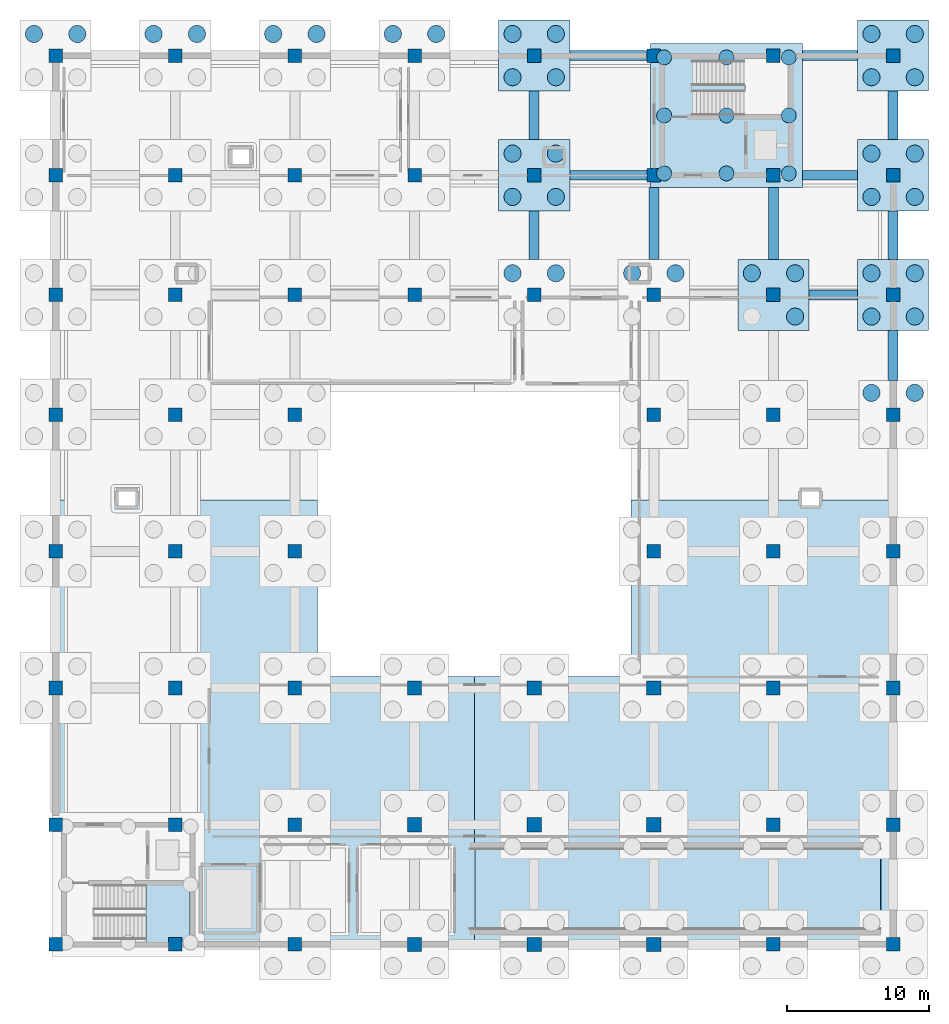
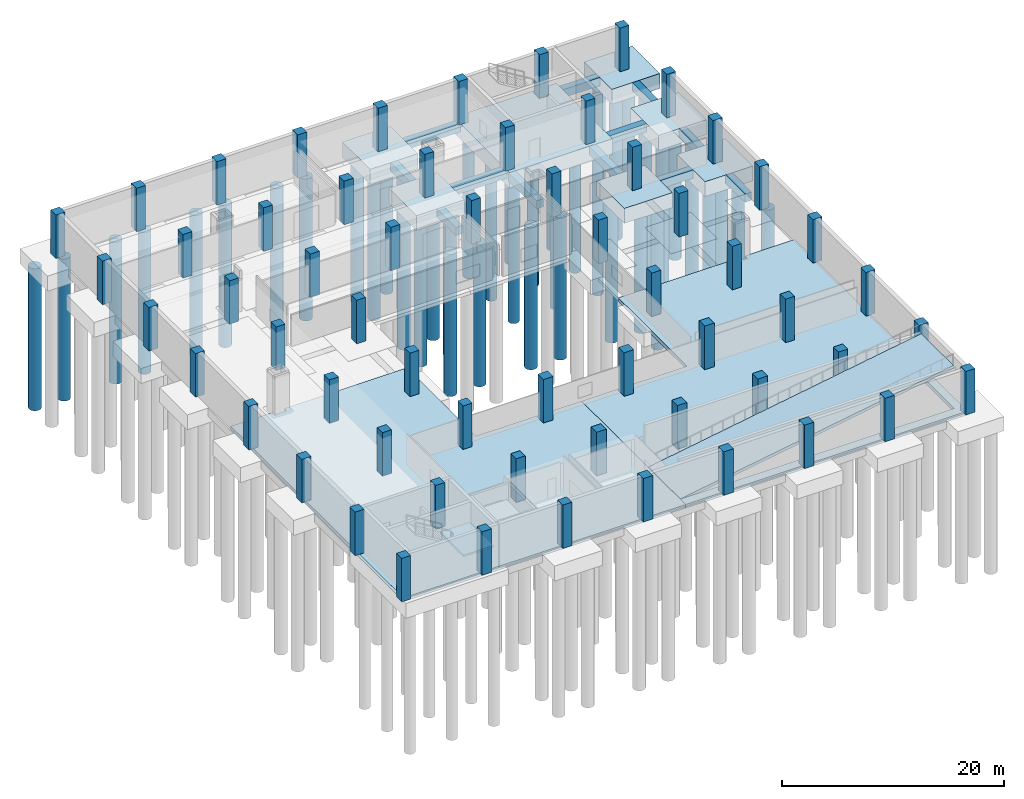
# One storey, part 4 of 12: 60 columns, 46 piles, 19 footings, 4 slabs, 1 element without a shape of its own.
"""IFC4 building model written with IfcOpenShell, lengths in metres."""

import ifcopenshell
import ifcopenshell.guid

model = None  # the IFC model being written
_history = None  # IfcOwnerHistory: only IFC2X3 demands one
_inside = {}  # id of a spatial element -> (the spatial element, [elements in it])
_under = {}  # id of a project, library or spatial element -> (it, [spatial elements below it])
_declared = {}  # id of a project -> (the project, [libraries it declares])
_typed = {}  # id of a type object -> (the type object, [elements of that type])
_made_of = {}  # id of a material, layer set ... -> (it, [elements and type objects made of it])


def new_model(schema):
    """Start an empty IFC model of exactly this schema.

    Asked for "IFC4X3", IfcOpenShell would pick the latest addendum, in which some entities
    have other attributes; the version numbers below select the first issue.
    IFC2X3 requires an IfcOwnerHistory on every rooted entity: one is made here for all.
    """
    global model, _history
    if schema == "IFC4X3":
        model = ifcopenshell.file(schema_version=(4, 3, 0, 0))
    else:
        model = ifcopenshell.file(schema=schema)
    _inside.clear()
    _under.clear()
    _declared.clear()
    _typed.clear()
    _made_of.clear()
    _history = None
    if model.schema == "IFC2X3":
        org = make("IfcOrganization", Name="unknown")
        user = make(
            "IfcPersonAndOrganization",
            ThePerson=make("IfcPerson", FamilyName="unknown"),
            TheOrganization=org,
        )
        app = make(
            "IfcApplication",
            ApplicationDeveloper=org,
            Version="unknown",
            ApplicationFullName="unknown",
            ApplicationIdentifier="unknown",
        )
        _history = make(
            "IfcOwnerHistory",
            OwningUser=user,
            OwningApplication=app,
            ChangeAction="ADDED",
            CreationDate=0,
        )
    return model


def make(cls, **values):
    """One entity of the class cls with the attributes given. An attribute that is None is left unset."""
    return model.create_entity(
        cls, **{name: value for name, value in values.items() if value is not None}
    )


def rooted(cls, **values):
    """An entity with a GlobalId (a new one), such as an element, a storey or a relation."""
    return make(cls, GlobalId=ifcopenshell.guid.new(), OwnerHistory=_history, **values)


def si_unit(unit_type, name, prefix=None):
    """IfcSIUnit, for example si_unit("LENGTHUNIT", "METRE", prefix="MILLI")."""
    return make("IfcSIUnit", UnitType=unit_type, Prefix=prefix, Name=name)


def assignment(units):
    """IfcUnitAssignment: the units of a project."""
    return None if units is None else make("IfcUnitAssignment", Units=units)


def point(xyz):
    """IfcCartesianPoint."""
    return None if xyz is None else make("IfcCartesianPoint", Coordinates=xyz)


def direction(xyz):
    """IfcDirection."""
    return None if xyz is None else make("IfcDirection", DirectionRatios=xyz)


def frame(location, z_axis=None, x_axis=None):
    """IfcAxis2Placement3D, a coordinate frame: its origin and axes. An axis left out is left unset."""
    return make(
        "IfcAxis2Placement3D",
        Location=point(location),
        Axis=direction(z_axis),
        RefDirection=direction(x_axis),
    )


def frame_2d(location, x_axis=None):
    """IfcAxis2Placement2D, a coordinate frame in the plane: its origin and x axis."""
    return make(
        "IfcAxis2Placement2D", Location=point(location), RefDirection=direction(x_axis)
    )


def origin():
    """The frame at (0, 0, 0) with its axes left unset."""
    return frame((0.0, 0.0, 0.0))


def origin_2d():
    """The frame at (0, 0) in the plane with its x axis left unset."""
    return frame_2d((0.0, 0.0))


def place(relative_to, where):
    """IfcLocalPlacement: puts the frame where relative to a parent placement (None: the world)."""
    return make(
        "IfcLocalPlacement", PlacementRelTo=relative_to, RelativePlacement=where
    )


def context(
    kind, dimensions, precision=None, world=None, true_north=None, identifier=None
):
    """IfcGeometricRepresentationContext, for example the 3D "Model" context."""
    return make(
        "IfcGeometricRepresentationContext",
        ContextIdentifier=identifier,
        ContextType=kind,
        CoordinateSpaceDimension=dimensions,
        Precision=precision,
        WorldCoordinateSystem=world,
        TrueNorth=true_north,
    )


def subcontext(parent, identifier, kind, view, scale=None):
    """IfcGeometricRepresentationSubContext, for example "Body" below "Model"."""
    return make(
        "IfcGeometricRepresentationSubContext",
        ContextIdentifier=identifier,
        ContextType=kind,
        ParentContext=parent,
        TargetScale=scale,
        TargetView=view,
    )


def project(units=None, contexts=None):
    """IfcProject with its units and contexts."""
    return rooted(
        "IfcProject",
        Name="project",
        RepresentationContexts=contexts,
        UnitsInContext=assignment(units),
    )


def spatial(cls, under=None, at=None, **own):
    """A site, building, storey or space (cls), placed at a placement, below another one or the project."""
    s = rooted(cls, ObjectPlacement=at, **own)
    if under is not None:
        _under.setdefault(under.id(), (under, []))[1].append(s)
    return s


def polyline(points):
    """IfcPolyline through the points."""
    return make("IfcPolyline", Points=[point(p) for p in points])


def profile(cls, at=None, kind="AREA", **sizes):
    """A parametric profile (cls). Its sizes go by their IFC names, for example OverallWidth=200.0."""
    return make(cls, ProfileType=kind, Position=at, **sizes)


def rectangle(**sizes):
    """IfcRectangleProfileDef."""
    return profile("IfcRectangleProfileDef", **sizes)


def circle(**sizes):
    """IfcCircleProfileDef."""
    return profile("IfcCircleProfileDef", **sizes)


def outline(outer, holes=None, kind="AREA"):
    """IfcArbitraryClosedProfileDef: a profile drawn as a closed curve; with holes, ...WithVoids."""
    if holes is None:
        return make("IfcArbitraryClosedProfileDef", ProfileType=kind, OuterCurve=outer)
    return make(
        "IfcArbitraryProfileDefWithVoids",
        ProfileType=kind,
        OuterCurve=outer,
        InnerCurves=holes,
    )


def extrude(swept, where, along, depth):
    """IfcExtrudedAreaSolid: the profile swept, set in the frame where, extruded along a direction by depth."""
    return make(
        "IfcExtrudedAreaSolid",
        SweptArea=swept,
        Position=where,
        ExtrudedDirection=direction(along),
        Depth=depth,
    )


def shape(context_of_items, identifier, shape_type, items):
    """IfcShapeRepresentation: the items that make up one representation, for example the "Body"."""
    return make(
        "IfcShapeRepresentation",
        ContextOfItems=context_of_items,
        RepresentationIdentifier=identifier,
        RepresentationType=shape_type,
        Items=items,
    )


def material(Name=None, Category=None):
    """IfcMaterial."""
    return make("IfcMaterial", Name=Name, Category=Category)


def layer(
    of_material, thickness, ventilated=None, Name=None, Category=None, Priority=None
):
    """IfcMaterialLayer: one layer of a wall or slab, of a material (None: an air gap)."""
    return make(
        "IfcMaterialLayer",
        Material=of_material,
        LayerThickness=thickness,
        IsVentilated=ventilated,
        Name=Name,
        Category=Category,
        Priority=Priority,
    )


def layer_set(layers, Name=None):
    """IfcMaterialLayerSet."""
    return make("IfcMaterialLayerSet", MaterialLayers=layers, LayerSetName=Name)


def material_profile(
    of_material, cross_section, Name=None, Category=None, Priority=None
):
    """IfcMaterialProfile: a cross section and its material."""
    return make(
        "IfcMaterialProfile",
        Name=Name,
        Material=of_material,
        Profile=cross_section,
        Priority=Priority,
        Category=Category,
    )


def profile_set(profiles, Name=None, composite=None):
    """IfcMaterialProfileSet."""
    return make(
        "IfcMaterialProfileSet",
        Name=Name,
        MaterialProfiles=profiles,
        CompositeProfile=composite,
    )


def made_of(thing, what):
    """Note that an element or type object is made of a material, layer set ...; save() writes the relation."""
    if what is not None:
        _made_of.setdefault(what.id(), (what, []))[1].append(thing)
    return thing


def type_object(cls, material=None, **own):
    """A type object (cls), such as IfcWallType, which elements share."""
    return made_of(rooted(cls, **own), material)


def element(
    cls,
    number,
    at=None,
    inside=None,
    cuts=None,
    type_object=None,
    material=None,
    context=None,
    identifier="Body",
    shape_type=None,
    held_by="IfcProductDefinitionShape",
    body=None,
    shapes=None,
    **own,
):
    """One element of the class cls, such as IfcWall. Its Tag is "e" and its number.

    at: its placement. inside: the storey or other place that contains it. cuts: it is an
    opening in that element (IfcRelVoidsElement). A single representation is given by context,
    identifier, shape_type and body (its items); several are given by shapes. held_by: the class
    of the entity that holds the representations. save() writes the other relations.
    """
    e = rooted(cls, Tag="e%d" % number, ObjectPlacement=at, **own)
    if body is not None:
        shapes = [shape(context, identifier, shape_type, body)]
    if shapes is not None:
        e.Representation = make(held_by, Representations=shapes)
    if inside is not None:
        _inside.setdefault(inside.id(), (inside, []))[1].append(e)
    if cuts is not None:
        rooted(
            "IfcRelVoidsElement", RelatingBuildingElement=cuts, RelatedOpeningElement=e
        )
    if type_object is not None:
        _typed.setdefault(type_object.id(), (type_object, []))[1].append(e)
    return made_of(e, material)


def aggregate(whole, parts):
    """IfcRelAggregates: a whole, such as a stair, and the parts it consists of."""
    return rooted("IfcRelAggregates", RelatingObject=whole, RelatedObjects=parts)


def save(model, path):
    """Write the relations noted so far, then the file.

    IfcRelAggregates (storeys below a building ...), IfcRelContainedInSpatialStructure (elements
    in a storey), IfcRelDefinesByType, IfcRelAssociatesMaterial and IfcRelDeclares: one each for
    every whole, place, type object, material and project.
    """
    for whole, parts in _under.values():
        aggregate(whole, parts)
    for where, things in _inside.values():
        rooted(
            "IfcRelContainedInSpatialStructure",
            RelatedElements=things,
            RelatingStructure=where,
        )
    for kind, things in _typed.values():
        rooted("IfcRelDefinesByType", RelatedObjects=things, RelatingType=kind)
    for what, things in _made_of.values():
        rooted("IfcRelAssociatesMaterial", RelatedObjects=things, RelatingMaterial=what)
    for by, libraries in _declared.values():
        rooted("IfcRelDeclares", RelatingContext=by, RelatedDefinitions=libraries)
    model.write(path)


model = new_model("IFC4")

# Units and contexts
model_context = context("Model", 3, precision=1e-05, world=origin(), true_north=direction((0.0, 1.0)))
body_context = subcontext(model_context, "Body", "Model", "MODEL_VIEW")
ifc_project = project(units=[si_unit("LENGTHUNIT", "METRE"), si_unit("AREAUNIT", "SQUARE_METRE"), si_unit("VOLUMEUNIT", "CUBIC_METRE"), si_unit("PLANEANGLEUNIT", "RADIAN"), si_unit("MASSUNIT", "GRAM", prefix="KILO")], contexts=[model_context])

# Site, building, storey
site_placement = place(None, origin())
site = spatial("IfcSite", under=ifc_project, at=site_placement, CompositionType="ELEMENT")
building_placement = place(site_placement, origin())
building = spatial("IfcBuilding", under=site, at=building_placement, Name="Zulmaris Art Gallery", CompositionType="ELEMENT")
storey_placement = place(building_placement, frame((0.0, 0.0, -4.800048828125)))
storey = spatial("IfcBuildingStorey", under=building, at=storey_placement, Name="B1", CompositionType="ELEMENT", Elevation=-4.800048828125)

# Footings
ifc_material_1 = material(Name="Concrete C40/50", Category="concrete")
ifc_layer_1 = layer(ifc_material_1, 0.89990234375)
ifc_layer_set_1 = layer_set([ifc_layer_1], Name="Concrete C40/50")
footing_type_1 = type_object("IfcFootingType", Name="FTG-GB02", PredefinedType="FOOTING_BEAM", material=ifc_layer_set_1)
footing_1_placement = place(storey_placement, frame((0.0, 0.0, -0.89990234375)))
element("IfcFooting", 1, at=footing_1_placement, inside=storey, type_object=footing_type_1, Name="B1 ground tie beam X", PredefinedType="FOOTING_BEAM", context=body_context, shape_type="SweptSolid", body=[
    extrude(outline(polyline([(194.5, 58.449951171875), (197.89990234375, 58.449951171875), (197.89990234375, 59.14990234375), (194.5, 59.14990234375), (194.5, 58.449951171875)])), origin(), (0.0, 0.0, 1.0), 0.89990234375),
])
footing_2_placement = place(storey_placement, frame((0.0, 0.0, -0.89990234375)))
element("IfcFooting", 2, at=footing_2_placement, inside=storey, type_object=footing_type_1, Name="B1 ground tie beam X", PredefinedType="FOOTING_BEAM", context=body_context, shape_type="SweptSolid", body=[
    extrude(outline(polyline([(177.699951171875, 66.85009765625), (183.35009765625, 66.85009765625), (183.35009765625, 67.550048828125), (177.699951171875, 67.550048828125), (177.699951171875, 66.85009765625)])), origin(), (0.0, 0.0, 1.0), 0.89990234375),
])
footing_3_placement = place(storey_placement, frame((0.0, 0.0, -0.89990234375)))
element("IfcFooting", 3, at=footing_3_placement, inside=storey, type_object=footing_type_1, Name="B1 ground tie beam X", PredefinedType="FOOTING_BEAM", context=body_context, shape_type="SweptSolid", body=[
    extrude(outline(polyline([(194.050048828125, 66.85009765625), (197.89990234375, 66.85009765625), (197.89990234375, 67.550048828125), (194.050048828125, 67.550048828125), (194.050048828125, 66.85009765625)])), origin(), (0.0, 0.0, 1.0), 0.89990234375),
])
footing_4_placement = place(storey_placement, frame((0.0, 0.0, -0.89990234375)))
element("IfcFooting", 4, at=footing_4_placement, inside=storey, type_object=footing_type_1, Name="B1 ground tie beam X", PredefinedType="FOOTING_BEAM", context=body_context, shape_type="SweptSolid", body=[
    extrude(outline(polyline([(177.699951171875, 75.25), (183.35009765625, 75.25), (183.35009765625, 75.949951171875), (177.699951171875, 75.949951171875), (177.699951171875, 75.25)])), origin(), (0.0, 0.0, 1.0), 0.89990234375),
])
footing_5_placement = place(storey_placement, frame((0.0, 0.0, -0.89990234375)))
element("IfcFooting", 5, at=footing_5_placement, inside=storey, type_object=footing_type_1, Name="B1 ground tie beam X", PredefinedType="FOOTING_BEAM", context=body_context, shape_type="SweptSolid", body=[
    extrude(outline(polyline([(194.050048828125, 75.25), (197.89990234375, 75.25), (197.89990234375, 75.949951171875), (194.050048828125, 75.949951171875), (194.050048828125, 75.25)])), origin(), (0.0, 0.0, 1.0), 0.89990234375),
])
footing_6_placement = place(storey_placement, frame((0.0, 0.0, -0.89990234375)))
element("IfcFooting", 6, at=footing_6_placement, inside=storey, type_object=footing_type_1, Name="B1 ground tie beam Y", PredefinedType="FOOTING_BEAM", context=body_context, shape_type="SweptSolid", body=[
    extrude(outline(polyline([(174.85009765625, 61.300048828125), (175.550048828125, 61.300048828125), (175.550048828125, 64.699951171875), (174.85009765625, 64.699951171875), (174.85009765625, 61.300048828125)])), origin(), (0.0, 0.0, 1.0), 0.89990234375),
])
footing_7_placement = place(storey_placement, frame((0.0, 0.0, -0.89990234375)))
element("IfcFooting", 7, at=footing_7_placement, inside=storey, type_object=footing_type_1, Name="B1 ground tie beam Y", PredefinedType="FOOTING_BEAM", context=body_context, shape_type="SweptSolid", body=[
    extrude(outline(polyline([(174.85009765625, 69.699951171875), (175.550048828125, 69.699951171875), (175.550048828125, 73.10009765625), (174.85009765625, 73.10009765625), (174.85009765625, 69.699951171875)])), origin(), (0.0, 0.0, 1.0), 0.89990234375),
])
footing_8_placement = place(storey_placement, frame((0.0, 0.0, -0.89990234375)))
element("IfcFooting", 8, at=footing_8_placement, inside=storey, type_object=footing_type_1, Name="B1 ground tie beam Y", PredefinedType="FOOTING_BEAM", context=body_context, shape_type="SweptSolid", body=[
    extrude(outline(polyline([(183.25, 61.300048828125), (183.949951171875, 61.300048828125), (183.949951171875, 66.35009765625), (183.25, 66.35009765625), (183.25, 61.300048828125)])), origin(), (0.0, 0.0, 1.0), 0.89990234375),
])
footing_9_placement = place(storey_placement, frame((0.0, 0.0, -0.89990234375)))
element("IfcFooting", 9, at=footing_9_placement, inside=storey, type_object=footing_type_1, Name="B1 ground tie beam Y", PredefinedType="FOOTING_BEAM", context=body_context, shape_type="SweptSolid", body=[
    extrude(outline(polyline([(191.64990234375, 61.300048828125), (192.35009765625, 61.300048828125), (192.35009765625, 66.35009765625), (191.64990234375, 66.35009765625), (191.64990234375, 61.300048828125)])), origin(), (0.0, 0.0, 1.0), 0.89990234375),
])
footing_10_placement = place(storey_placement, frame((0.0, 0.0, -0.89990234375)))
element("IfcFooting", 10, at=footing_10_placement, inside=storey, type_object=footing_type_1, Name="B1 ground tie beam Y", PredefinedType="FOOTING_BEAM", context=body_context, shape_type="SweptSolid", body=[
    extrude(outline(polyline([(200.050048828125, 52.800048828125), (200.75, 52.800048828125), (200.75, 56.300048828125), (200.050048828125, 56.300048828125), (200.050048828125, 52.800048828125)])), origin(), (0.0, 0.0, 1.0), 0.89990234375),
])
footing_11_placement = place(storey_placement, frame((0.0, 0.0, -0.89990234375)))
element("IfcFooting", 11, at=footing_11_placement, inside=storey, type_object=footing_type_1, Name="B1 ground tie beam Y", PredefinedType="FOOTING_BEAM", context=body_context, shape_type="SweptSolid", body=[
    extrude(outline(polyline([(200.050048828125, 61.300048828125), (200.75, 61.300048828125), (200.75, 64.699951171875), (200.050048828125, 64.699951171875), (200.050048828125, 61.300048828125)])), origin(), (0.0, 0.0, 1.0), 0.89990234375),
])
footing_12_placement = place(storey_placement, frame((0.0, 0.0, -0.89990234375)))
element("IfcFooting", 12, at=footing_12_placement, inside=storey, type_object=footing_type_1, Name="B1 ground tie beam Y", PredefinedType="FOOTING_BEAM", context=body_context, shape_type="SweptSolid", body=[
    extrude(outline(polyline([(200.050048828125, 69.699951171875), (200.75, 69.699951171875), (200.75, 73.10009765625), (200.050048828125, 73.10009765625), (200.050048828125, 69.699951171875)])), origin(), (0.0, 0.0, 1.0), 0.89990234375),
])
ifc_layer_2 = layer(ifc_material_1, 1.7099609375)
ifc_layer_set_2 = layer_set([ifc_layer_2], Name="Concrete C40/50")
footing_type_2 = type_object("IfcFootingType", Name="FTG-MAT-C4", PredefinedType="PILE_CAP", material=ifc_layer_set_2)
footing_13_placement = place(storey_placement, frame((0.0, 0.0, -1.7099609375)))
element("IfcFooting", 13, at=footing_13_placement, inside=storey, type_object=footing_type_2, Name="Core C4 pile cap", PredefinedType="PILE_CAP", context=body_context, shape_type="SweptSolid", body=[
    extrude(outline(polyline([(183.35009765625, 66.35009765625), (194.050048828125, 66.35009765625), (194.050048828125, 76.449951171875), (183.35009765625, 76.449951171875), (183.35009765625, 66.35009765625)])), origin(), (0.0, 0.0, 1.0), 1.7099609375),
])
ifc_layer_3 = layer(ifc_material_1, 1.64990234375)
ifc_layer_set_3 = layer_set([ifc_layer_3], Name="Concrete C40/50")
footing_type_3 = type_object("IfcFootingType", Name="FTG-PC04", PredefinedType="PILE_CAP", material=ifc_layer_set_3)
footing_14_placement = place(storey_placement, frame((0.0, 0.0, -1.64990234375)))
element("IfcFooting", 14, at=footing_14_placement, inside=storey, type_object=footing_type_3, Name="B1 pile cap PC04 at (175.2, 67.2)", PredefinedType="PILE_CAP", context=body_context, shape_type="SweptSolid", body=[
    extrude(outline(polyline([(172.699951171875, 64.699951171875), (177.699951171875, 64.699951171875), (177.699951171875, 69.699951171875), (172.699951171875, 69.699951171875), (172.699951171875, 64.699951171875)])), origin(), (0.0, 0.0, 1.0), 1.64990234375),
])
footing_15_placement = place(storey_placement, frame((0.0, 0.0, -1.64990234375)))
element("IfcFooting", 15, at=footing_15_placement, inside=storey, type_object=footing_type_3, Name="B1 pile cap PC04 at (175.2, 75.6)", PredefinedType="PILE_CAP", context=body_context, shape_type="SweptSolid", body=[
    extrude(outline(polyline([(172.699951171875, 73.10009765625), (177.699951171875, 73.10009765625), (177.699951171875, 78.10009765625), (172.699951171875, 78.10009765625), (172.699951171875, 73.10009765625)])), origin(), (0.0, 0.0, 1.0), 1.64990234375),
])
footing_16_placement = place(storey_placement, frame((0.0, 0.0, -1.64990234375)))
element("IfcFooting", 16, at=footing_16_placement, inside=storey, type_object=footing_type_3, Name="B1 pile cap PC04 at (192.0, 58.8)", PredefinedType="PILE_CAP", context=body_context, shape_type="SweptSolid", body=[
    extrude(outline(polyline([(189.5, 56.300048828125), (194.5, 56.300048828125), (194.5, 61.300048828125), (189.5, 61.300048828125), (189.5, 56.300048828125)])), origin(), (0.0, 0.0, 1.0), 1.64990234375),
])
footing_17_placement = place(storey_placement, frame((0.0, 0.0, -1.64990234375)))
element("IfcFooting", 17, at=footing_17_placement, inside=storey, type_object=footing_type_3, Name="B1 pile cap PC04 at (200.4, 58.8)", PredefinedType="PILE_CAP", context=body_context, shape_type="SweptSolid", body=[
    extrude(outline(polyline([(197.89990234375, 56.300048828125), (202.89990234375, 56.300048828125), (202.89990234375, 61.300048828125), (197.89990234375, 61.300048828125), (197.89990234375, 56.300048828125)])), origin(), (0.0, 0.0, 1.0), 1.64990234375),
])
footing_18_placement = place(storey_placement, frame((0.0, 0.0, -1.64990234375)))
element("IfcFooting", 18, at=footing_18_placement, inside=storey, type_object=footing_type_3, Name="B1 pile cap PC04 at (200.4, 67.2)", PredefinedType="PILE_CAP", context=body_context, shape_type="SweptSolid", body=[
    extrude(outline(polyline([(197.89990234375, 64.699951171875), (202.89990234375, 64.699951171875), (202.89990234375, 69.699951171875), (197.89990234375, 69.699951171875), (197.89990234375, 64.699951171875)])), origin(), (0.0, 0.0, 1.0), 1.64990234375),
])
footing_19_placement = place(storey_placement, frame((0.0, 0.0, -1.64990234375)))
element("IfcFooting", 19, at=footing_19_placement, inside=storey, type_object=footing_type_3, Name="B1 pile cap PC04 at (200.4, 75.6)", PredefinedType="PILE_CAP", context=body_context, shape_type="SweptSolid", body=[
    extrude(outline(polyline([(197.89990234375, 73.10009765625), (202.89990234375, 73.10009765625), (202.89990234375, 78.10009765625), (197.89990234375, 78.10009765625), (197.89990234375, 73.10009765625)])), origin(), (0.0, 0.0, 1.0), 1.64990234375),
])

# Piles
ifc_material_profile_1 = material_profile(ifc_material_1, circle(Radius=0.52490234375, at=origin_2d()), Name="PILE DIA 1050")
ifc_profile_set_1 = profile_set([ifc_material_profile_1], Name="Concrete C40/50")
pile_type_1 = type_object("IfcPileType", Name="PILE-1050", PredefinedType="BORED", material=ifc_profile_set_1)
for number, where, z_axis, x_axis, name in (
    (20, (184.324951171875, 67.324951171875, -1.60986328125), (0.0, 0.0, -1.0), (1.0, 0.0, 0.0), "Core C4 bored pile 1"),
    (21, (184.324951171875, 71.39990234375, -1.60986328125), (0.0, 0.0, -1.0), (1.0, 0.0, 0.0), "Core C4 bored pile 2"),
    (22, (184.324951171875, 75.47509765625, -1.60986328125), (0.0, 0.0, -1.0), (1.0, 0.0, 0.0), "Core C4 bored pile 3"),
    (23, (188.699951171875, 67.324951171875, -1.60986328125), (0.0, 0.0, -1.0), (1.0, 0.0, 0.0), "Core C4 bored pile 4"),
    (24, (188.699951171875, 71.39990234375, -1.60986328125), (0.0, 0.0, -1.0), (1.0, 0.0, 0.0), "Core C4 bored pile 5"),
    (25, (188.699951171875, 75.47509765625, -1.60986328125), (0.0, 0.0, -1.0), (1.0, 0.0, 0.0), "Core C4 bored pile 6"),
    (26, (193.074951171875, 67.324951171875, -1.60986328125), (0.0, 0.0, -1.0), (1.0, 0.0, 0.0), "Core C4 bored pile 7"),
    (27, (193.074951171875, 71.39990234375, -1.60986328125), (0.0, 0.0, -1.0), (1.0, 0.0, 0.0), "Core C4 bored pile 8"),
    (28, (193.074951171875, 75.47509765625, -1.60986328125), (0.0, 0.0, -1.0), (1.0, 0.0, 0.0), "Core C4 bored pile 9"),
):
    element("IfcPile", number, at=place(storey_placement, frame(where, z_axis=z_axis, x_axis=x_axis)), inside=storey, type_object=pile_type_1, Name=name, PredefinedType="BORED", context=body_context, shape_type="SweptSolid", body=[
        extrude(circle(Radius=0.52490234375, at=origin_2d()), origin(), (0.0, 0.0, 1.0), 15.590087890625),
    ])
ifc_material_profile_2 = material_profile(ifc_material_1, circle(Radius=0.60009765625, at=origin_2d()), Name="PILE DIA 1200")
ifc_profile_set_2 = profile_set([ifc_material_profile_2], Name="Concrete C40/50")
pile_type_2 = type_object("IfcPileType", Name="PILE-1200", PredefinedType="BORED", material=ifc_profile_set_2)
for number, where, z_axis, x_axis, name in (
    (29, (140.080078125, 77.1201171875, -1.550048828125), (0.0, 0.0, -1.0), (1.0, 0.0, 0.0), "B1 bored pile 3 under FTG-CAP-B1-1416-756"),
    (30, (143.1201171875, 77.1201171875, -1.550048828125), (0.0, 0.0, -1.0), (1.0, 0.0, 0.0), "B1 bored pile 4 under FTG-CAP-B1-1416-756"),
    (31, (148.47998046875, 77.1201171875, -1.550048828125), (0.0, 0.0, -1.0), (1.0, 0.0, 0.0), "B1 bored pile 3 under FTG-CAP-B1-1500-756"),
    (32, (151.52001953125, 77.1201171875, -1.550048828125), (0.0, 0.0, -1.0), (1.0, 0.0, 0.0), "B1 bored pile 4 under FTG-CAP-B1-1500-756"),
    (33, (156.8798828125, 77.1201171875, -1.550048828125), (0.0, 0.0, -1.0), (1.0, 0.0, 0.0), "B1 bored pile 3 under FTG-CAP-B1-1584-756"),
    (34, (159.919921875, 77.1201171875, -1.550048828125), (0.0, 0.0, -1.0), (1.0, 0.0, 0.0), "B1 bored pile 4 under FTG-CAP-B1-1584-756"),
    (35, (165.280029296875, 77.1201171875, -1.550048828125), (0.0, 0.0, -1.0), (1.0, 0.0, 0.0), "B1 bored pile 3 under FTG-CAP-B1-1668-756"),
    (36, (168.320068359375, 77.1201171875, -1.550048828125), (0.0, 0.0, -1.0), (1.0, 0.0, 0.0), "B1 bored pile 4 under FTG-CAP-B1-1668-756"),
    (37, (173.679931640625, 60.320068359375, -1.550048828125), (0.0, 0.0, -1.0), (1.0, 0.0, 0.0), "B1 bored pile 3 under FTG-CAP-B1-1752-588"),
    (38, (176.719970703125, 60.320068359375, -1.550048828125), (0.0, 0.0, -1.0), (1.0, 0.0, 0.0), "B1 bored pile 4 under FTG-CAP-B1-1752-588"),
    (39, (173.679931640625, 65.679931640625, -1.550048828125), (0.0, 0.0, -1.0), (1.0, 0.0, 0.0), "B1 bored pile 1 under FTG-CAP-B1-1752-672"),
    (40, (176.719970703125, 65.679931640625, -1.550048828125), (0.0, 0.0, -1.0), (1.0, 0.0, 0.0), "B1 bored pile 2 under FTG-CAP-B1-1752-672"),
    (41, (173.679931640625, 68.719970703125, -1.550048828125), (0.0, 0.0, -1.0), (1.0, 0.0, 0.0), "B1 bored pile 3 under FTG-CAP-B1-1752-672"),
    (42, (176.719970703125, 68.719970703125, -1.550048828125), (0.0, 0.0, -1.0), (1.0, 0.0, 0.0), "B1 bored pile 4 under FTG-CAP-B1-1752-672"),
    (43, (173.679931640625, 74.080078125, -1.550048828125), (0.0, 0.0, -1.0), (1.0, 0.0, 0.0), "B1 bored pile 1 under FTG-CAP-B1-1752-756"),
    (44, (176.719970703125, 74.080078125, -1.550048828125), (0.0, 0.0, -1.0), (1.0, 0.0, 0.0), "B1 bored pile 2 under FTG-CAP-B1-1752-756"),
    (45, (173.679931640625, 77.1201171875, -1.550048828125), (0.0, 0.0, -1.0), (1.0, 0.0, 0.0), "B1 bored pile 3 under FTG-CAP-B1-1752-756"),
    (46, (176.719970703125, 77.1201171875, -1.550048828125), (0.0, 0.0, -1.0), (1.0, 0.0, 0.0), "B1 bored pile 4 under FTG-CAP-B1-1752-756"),
    (47, (182.080078125, 60.320068359375, -1.550048828125), (0.0, 0.0, -1.0), (1.0, 0.0, 0.0), "B1 bored pile 3 under FTG-CAP-B1-1836-588"),
    (48, (185.1201171875, 60.320068359375, -1.550048828125), (0.0, 0.0, -1.0), (1.0, 0.0, 0.0), "B1 bored pile 4 under FTG-CAP-B1-1836-588"),
    (49, (193.52001953125, 57.280029296875, -1.550048828125), (0.0, 0.0, -1.0), (1.0, 0.0, 0.0), "B1 bored pile 2 under FTG-CAP-B1-1920-588"),
    (50, (190.47998046875, 60.320068359375, -1.550048828125), (0.0, 0.0, -1.0), (1.0, 0.0, 0.0), "B1 bored pile 3 under FTG-CAP-B1-1920-588"),
    (51, (193.52001953125, 60.320068359375, -1.550048828125), (0.0, 0.0, -1.0), (1.0, 0.0, 0.0), "B1 bored pile 4 under FTG-CAP-B1-1920-588"),
):
    element("IfcPile", number, at=place(storey_placement, frame(where, z_axis=z_axis, x_axis=x_axis)), inside=storey, type_object=pile_type_2, Name=name, PredefinedType="BORED", context=body_context, shape_type="SweptSolid", body=[
        extrude(circle(Radius=0.60009765625, at=origin_2d()), origin(), (0.0, 0.0, 1.0), 15.64990234375),
    ])
for number, where, z_axis, x_axis, name in (
    (52, (198.8798828125, 51.919921875, -1.449951171875), (0.0, 0.0, -1.0), (1.0, 0.0, 0.0), "B1 bored pile 3 under FTG-CAP-B1-2004-504"),
    (53, (201.919921875, 51.919921875, -1.449951171875), (0.0, 0.0, -1.0), (1.0, 0.0, 0.0), "B1 bored pile 4 under FTG-CAP-B1-2004-504"),
):
    element("IfcPile", number, at=place(storey_placement, frame(where, z_axis=z_axis, x_axis=x_axis)), inside=storey, type_object=pile_type_2, Name=name, PredefinedType="BORED", context=body_context, shape_type="SweptSolid", body=[
        extrude(circle(Radius=0.60009765625, at=origin_2d()), origin(), (0.0, 0.0, 1.0), 15.75),
    ])
for number, where, z_axis, x_axis, name in (
    (54, (198.8798828125, 57.280029296875, -1.550048828125), (0.0, 0.0, -1.0), (1.0, 0.0, 0.0), "B1 bored pile 1 under FTG-CAP-B1-2004-588"),
    (55, (201.919921875, 57.280029296875, -1.550048828125), (0.0, 0.0, -1.0), (1.0, 0.0, 0.0), "B1 bored pile 2 under FTG-CAP-B1-2004-588"),
    (56, (198.8798828125, 60.320068359375, -1.550048828125), (0.0, 0.0, -1.0), (1.0, 0.0, 0.0), "B1 bored pile 3 under FTG-CAP-B1-2004-588"),
    (57, (201.919921875, 60.320068359375, -1.550048828125), (0.0, 0.0, -1.0), (1.0, 0.0, 0.0), "B1 bored pile 4 under FTG-CAP-B1-2004-588"),
    (58, (198.8798828125, 65.679931640625, -1.550048828125), (0.0, 0.0, -1.0), (1.0, 0.0, 0.0), "B1 bored pile 1 under FTG-CAP-B1-2004-672"),
    (59, (201.919921875, 65.679931640625, -1.550048828125), (0.0, 0.0, -1.0), (1.0, 0.0, 0.0), "B1 bored pile 2 under FTG-CAP-B1-2004-672"),
    (60, (198.8798828125, 68.719970703125, -1.550048828125), (0.0, 0.0, -1.0), (1.0, 0.0, 0.0), "B1 bored pile 3 under FTG-CAP-B1-2004-672"),
    (61, (201.919921875, 68.719970703125, -1.550048828125), (0.0, 0.0, -1.0), (1.0, 0.0, 0.0), "B1 bored pile 4 under FTG-CAP-B1-2004-672"),
    (62, (198.8798828125, 74.080078125, -1.550048828125), (0.0, 0.0, -1.0), (1.0, 0.0, 0.0), "B1 bored pile 1 under FTG-CAP-B1-2004-756"),
    (63, (201.919921875, 74.080078125, -1.550048828125), (0.0, 0.0, -1.0), (1.0, 0.0, 0.0), "B1 bored pile 2 under FTG-CAP-B1-2004-756"),
    (64, (198.8798828125, 77.1201171875, -1.550048828125), (0.0, 0.0, -1.0), (1.0, 0.0, 0.0), "B1 bored pile 3 under FTG-CAP-B1-2004-756"),
    (65, (201.919921875, 77.1201171875, -1.550048828125), (0.0, 0.0, -1.0), (1.0, 0.0, 0.0), "B1 bored pile 4 under FTG-CAP-B1-2004-756"),
):
    element("IfcPile", number, at=place(storey_placement, frame(where, z_axis=z_axis, x_axis=x_axis)), inside=storey, type_object=pile_type_2, Name=name, PredefinedType="BORED", context=body_context, shape_type="SweptSolid", body=[
        extrude(circle(Radius=0.60009765625, at=origin_2d()), origin(), (0.0, 0.0, 1.0), 15.64990234375),
    ])

# Columns
ifc_material_2 = material(Name="Concrete C50/60", Category="concrete")
ifc_material_profile_3 = material_profile(ifc_material_2, rectangle(XDim=1.0, YDim=1.0, at=origin_2d()), Name="RC 1000x1000")
ifc_profile_set_3 = profile_set([ifc_material_profile_3], Name="Concrete C50/60")
column_type_1 = type_object("IfcColumnType", Name="COL-RC-1000x1000", PredefinedType="COLUMN", material=ifc_profile_set_3)
for number, where, z_axis, x_axis, name in (
    (66, (166.800048828125, 13.199951171875, 0.0), (0.0, 0.0, 1.0), (1.0, 0.0, 0.0), "B1 structural column (166.8, 13.2)"),
    (67, (166.800048828125, 21.60009765625, 0.0), (0.0, 0.0, 1.0), (1.0, 0.0, 0.0), "B1 structural column (166.8, 21.6)"),
    (68, (166.800048828125, 31.199951171875, 0.0), (0.0, 0.0, 1.0), (1.0, 0.0, 0.0), "B1 structural column (166.8, 31.2)"),
    (69, (175.199951171875, 13.199951171875, 0.0), (0.0, 0.0, 1.0), (1.0, 0.0, 0.0), "B1 structural column (175.2, 13.2)"),
    (70, (175.199951171875, 21.60009765625, 0.0), (0.0, 0.0, 1.0), (1.0, 0.0, 0.0), "B1 structural column (175.2, 21.6)"),
    (71, (175.199951171875, 31.199951171875, 0.0), (0.0, 0.0, 1.0), (1.0, 0.0, 0.0), "B1 structural column (175.2, 31.2)"),
    (72, (183.60009765625, 13.199951171875, 0.0), (0.0, 0.0, 1.0), (1.0, 0.0, 0.0), "B1 structural column (183.6, 13.2)"),
    (73, (183.60009765625, 21.60009765625, 0.0), (0.0, 0.0, 1.0), (1.0, 0.0, 0.0), "B1 structural column (183.6, 21.6)"),
    (74, (183.60009765625, 31.199951171875, 0.0), (0.0, 0.0, 1.0), (1.0, 0.0, 0.0), "B1 structural column (183.6, 31.2)"),
):
    element("IfcColumn", number, at=place(storey_placement, frame(where, z_axis=z_axis, x_axis=x_axis)), inside=storey, type_object=column_type_1, Name=name, PredefinedType="COLUMN", context=body_context, shape_type="SweptSolid", body=[
        extrude(rectangle(XDim=1.0, YDim=1.0, at=origin_2d()), origin(), (0.0, 0.0, 1.0), 4.800048828125),
    ])
ifc_material_profile_4 = material_profile(ifc_material_2, rectangle(XDim=0.949951171875, YDim=0.949951171875, at=origin_2d()), Name="RC 950x950")
ifc_profile_set_4 = profile_set([ifc_material_profile_4], Name="Concrete C50/60")
column_type_2 = type_object("IfcColumnType", Name="COL-RC-950x950", PredefinedType="COLUMN", material=ifc_profile_set_4)
for number, where, z_axis, x_axis, name in (
    (75, (141.60009765625, 13.199951171875, 0.0), (0.0, 0.0, 1.0), (1.0, 0.0, 0.0), "B1 structural column (141.6, 13.2)"),
    (76, (141.60009765625, 21.60009765625, 0.0), (0.0, 0.0, 1.0), (1.0, 0.0, 0.0), "B1 structural column (141.6, 21.6)"),
    (77, (141.60009765625, 31.199951171875, 0.0), (0.0, 0.0, 1.0), (1.0, 0.0, 0.0), "B1 structural column (141.6, 31.2)"),
    (78, (141.60009765625, 40.800048828125, 0.0), (0.0, 0.0, 1.0), (1.0, 0.0, 0.0), "B1 structural column (141.6, 40.8)"),
    (79, (141.60009765625, 50.39990234375, 0.0), (0.0, 0.0, 1.0), (1.0, 0.0, 0.0), "B1 structural column (141.6, 50.4)"),
    (80, (141.60009765625, 58.800048828125, 0.0), (0.0, 0.0, 1.0), (1.0, 0.0, 0.0), "B1 structural column (141.6, 58.8)"),
    (81, (141.60009765625, 67.199951171875, 0.0), (0.0, 0.0, 1.0), (1.0, 0.0, 0.0), "B1 structural column (141.6, 67.2)"),
    (82, (141.60009765625, 75.60009765625, 0.0), (0.0, 0.0, 1.0), (1.0, 0.0, 0.0), "B1 structural column (141.6, 75.6)"),
    (83, (150.0, 13.199951171875, 0.0), (0.0, 0.0, 1.0), (1.0, 0.0, 0.0), "B1 structural column (150.0, 13.2)"),
    (84, (150.0, 21.60009765625, 0.0), (0.0, 0.0, 1.0), (1.0, 0.0, 0.0), "B1 structural column (150.0, 21.6)"),
    (85, (150.0, 31.199951171875, 0.0), (0.0, 0.0, 1.0), (1.0, 0.0, 0.0), "B1 structural column (150.0, 31.2)"),
    (86, (150.0, 40.800048828125, 0.0), (0.0, 0.0, 1.0), (1.0, 0.0, 0.0), "B1 structural column (150.0, 40.8)"),
    (87, (150.0, 50.39990234375, 0.0), (0.0, 0.0, 1.0), (1.0, 0.0, 0.0), "B1 structural column (150.0, 50.4)"),
    (88, (150.0, 58.800048828125, 0.0), (0.0, 0.0, 1.0), (1.0, 0.0, 0.0), "B1 structural column (150.0, 58.8)"),
    (89, (150.0, 67.199951171875, 0.0), (0.0, 0.0, 1.0), (1.0, 0.0, 0.0), "B1 structural column (150.0, 67.2)"),
    (90, (150.0, 75.60009765625, 0.0), (0.0, 0.0, 1.0), (1.0, 0.0, 0.0), "B1 structural column (150.0, 75.6)"),
    (91, (158.39990234375, 13.199951171875, 0.0), (0.0, 0.0, 1.0), (1.0, 0.0, 0.0), "B1 structural column (158.4, 13.2)"),
    (92, (158.39990234375, 21.60009765625, 0.0), (0.0, 0.0, 1.0), (1.0, 0.0, 0.0), "B1 structural column (158.4, 21.6)"),
    (93, (158.39990234375, 31.199951171875, 0.0), (0.0, 0.0, 1.0), (1.0, 0.0, 0.0), "B1 structural column (158.4, 31.2)"),
    (94, (158.39990234375, 40.800048828125, 0.0), (0.0, 0.0, 1.0), (1.0, 0.0, 0.0), "B1 structural column (158.4, 40.8)"),
    (95, (158.39990234375, 50.39990234375, 0.0), (0.0, 0.0, 1.0), (1.0, 0.0, 0.0), "B1 structural column (158.4, 50.4)"),
    (96, (158.39990234375, 58.800048828125, 0.0), (0.0, 0.0, 1.0), (1.0, 0.0, 0.0), "B1 structural column (158.4, 58.8)"),
    (97, (158.39990234375, 67.199951171875, 0.0), (0.0, 0.0, 1.0), (1.0, 0.0, 0.0), "B1 structural column (158.4, 67.2)"),
    (98, (158.39990234375, 75.60009765625, 0.0), (0.0, 0.0, 1.0), (1.0, 0.0, 0.0), "B1 structural column (158.4, 75.6)"),
    (99, (166.800048828125, 58.800048828125, 0.0), (0.0, 0.0, 1.0), (1.0, 0.0, 0.0), "B1 structural column (166.8, 58.8)"),
    (100, (166.800048828125, 67.199951171875, 0.0), (0.0, 0.0, 1.0), (1.0, 0.0, 0.0), "B1 structural column (166.8, 67.2)"),
    (101, (166.800048828125, 75.60009765625, 0.0), (0.0, 0.0, 1.0), (1.0, 0.0, 0.0), "B1 structural column (166.8, 75.6)"),
    (102, (175.199951171875, 58.800048828125, 0.0), (0.0, 0.0, 1.0), (1.0, 0.0, 0.0), "B1 structural column (175.2, 58.8)"),
    (103, (175.199951171875, 67.199951171875, 0.0), (0.0, 0.0, 1.0), (1.0, 0.0, 0.0), "B1 structural column (175.2, 67.2)"),
    (104, (175.199951171875, 75.60009765625, 0.0), (0.0, 0.0, 1.0), (1.0, 0.0, 0.0), "B1 structural column (175.2, 75.6)"),
    (105, (183.60009765625, 40.800048828125, 0.0), (0.0, 0.0, 1.0), (1.0, 0.0, 0.0), "B1 structural column (183.6, 40.8)"),
    (106, (183.60009765625, 50.39990234375, 0.0), (0.0, 0.0, 1.0), (1.0, 0.0, 0.0), "B1 structural column (183.6, 50.4)"),
    (107, (183.60009765625, 58.800048828125, 0.0), (0.0, 0.0, 1.0), (1.0, 0.0, 0.0), "B1 structural column (183.6, 58.8)"),
    (108, (183.60009765625, 67.199951171875, 0.0), (0.0, 0.0, 1.0), (1.0, 0.0, 0.0), "B1 structural column (183.6, 67.2)"),
    (109, (183.60009765625, 75.60009765625, 0.0), (0.0, 0.0, 1.0), (1.0, 0.0, 0.0), "B1 structural column (183.6, 75.6)"),
    (110, (192.0, 13.199951171875, 0.0), (0.0, 0.0, 1.0), (1.0, 0.0, 0.0), "B1 structural column (192.0, 13.2)"),
    (111, (192.0, 21.60009765625, 0.0), (0.0, 0.0, 1.0), (1.0, 0.0, 0.0), "B1 structural column (192.0, 21.6)"),
    (112, (192.0, 31.199951171875, 0.0), (0.0, 0.0, 1.0), (1.0, 0.0, 0.0), "B1 structural column (192.0, 31.2)"),
    (113, (192.0, 40.800048828125, 0.0), (0.0, 0.0, 1.0), (1.0, 0.0, 0.0), "B1 structural column (192.0, 40.8)"),
    (114, (192.0, 50.39990234375, 0.0), (0.0, 0.0, 1.0), (1.0, 0.0, 0.0), "B1 structural column (192.0, 50.4)"),
    (115, (192.0, 58.800048828125, 0.0), (0.0, 0.0, 1.0), (1.0, 0.0, 0.0), "B1 structural column (192.0, 58.8)"),
    (116, (192.0, 67.199951171875, 0.0), (0.0, 0.0, 1.0), (1.0, 0.0, 0.0), "B1 structural column (192.0, 67.2)"),
    (117, (192.0, 75.60009765625, 0.0), (0.0, 0.0, 1.0), (1.0, 0.0, 0.0), "B1 structural column (192.0, 75.6)"),
    (118, (200.39990234375, 13.199951171875, 0.0), (0.0, 0.0, 1.0), (1.0, 0.0, 0.0), "B1 structural column (200.4, 13.2)"),
    (119, (200.39990234375, 21.60009765625, 0.0), (0.0, 0.0, 1.0), (1.0, 0.0, 0.0), "B1 structural column (200.4, 21.6)"),
    (120, (200.39990234375, 31.199951171875, 0.0), (0.0, 0.0, 1.0), (1.0, 0.0, 0.0), "B1 structural column (200.4, 31.2)"),
    (121, (200.39990234375, 40.800048828125, 0.0), (0.0, 0.0, 1.0), (1.0, 0.0, 0.0), "B1 structural column (200.4, 40.8)"),
    (122, (200.39990234375, 50.39990234375, 0.0), (0.0, 0.0, 1.0), (1.0, 0.0, 0.0), "B1 structural column (200.4, 50.4)"),
    (123, (200.39990234375, 58.800048828125, 0.0), (0.0, 0.0, 1.0), (1.0, 0.0, 0.0), "B1 structural column (200.4, 58.8)"),
    (124, (200.39990234375, 67.199951171875, 0.0), (0.0, 0.0, 1.0), (1.0, 0.0, 0.0), "B1 structural column (200.4, 67.2)"),
    (125, (200.39990234375, 75.60009765625, 0.0), (0.0, 0.0, 1.0), (1.0, 0.0, 0.0), "B1 structural column (200.4, 75.6)"),
):
    element("IfcColumn", number, at=place(storey_placement, frame(where, z_axis=z_axis, x_axis=x_axis)), inside=storey, type_object=column_type_2, Name=name, PredefinedType="COLUMN", context=body_context, shape_type="SweptSolid", body=[
        extrude(rectangle(XDim=0.949951171875, YDim=0.949951171875, at=origin_2d()), origin(), (0.0, 0.0, 1.0), 4.800048828125),
    ])

# Slabs
ifc_layer_4 = layer(ifc_material_1, 0.419921875)
ifc_layer_set_4 = layer_set([ifc_layer_4], Name="Concrete C40/50")
slab_type_1 = type_object("IfcSlabType", Name="SLAB-SL-BS01", PredefinedType="BASESLAB", material=ifc_layer_set_4)
slab_1_placement = place(storey_placement, frame((0.0, 0.0, -0.419921875)))
element("IfcSlab", 126, at=slab_1_placement, inside=storey, type_object=slab_type_1, Name="B1 V5-SW slab", PredefinedType="BASESLAB", context=body_context, shape_type="SweptSolid", body=[
    extrude(outline(polyline([(146.0, 44.39990234375), (146.0, 44.0), (147.199951171875, 44.0), (147.199951171875, 44.39990234375), (160.0, 44.39990234375), (160.0, 32.0), (171.0, 32.0), (171.0, 20.02001953125), (171.0, 14.179931640625), (171.0, 13.199951171875), (141.60009765625, 13.199951171875), (141.60009765625, 44.39990234375), (146.0, 44.39990234375)])), origin(), (0.0, 0.0, 1.0), 0.419921875),
])
slab_2_placement = place(storey_placement, frame((0.0, 0.0, -0.419921875)))
element("IfcSlab", 127, at=slab_2_placement, inside=storey, type_object=slab_type_1, Name="B1 V5-SE slab", PredefinedType="BASESLAB", context=body_context, shape_type="SweptSolid", body=[
    extrude(outline(polyline([(171.0, 13.199951171875), (171.0, 14.179931640625), (199.550048828125, 14.179931640625), (199.550048828125, 20.02001953125), (171.0, 20.02001953125), (171.0, 32.0), (182.0, 32.0), (182.0, 44.39990234375), (194.0, 44.39990234375), (194.0, 44.0), (195.199951171875, 44.0), (195.199951171875, 44.39990234375), (200.39990234375, 44.39990234375), (200.39990234375, 13.199951171875), (171.0, 13.199951171875)])), origin(), (0.0, 0.0, 1.0), 0.419921875),
])
ifc_layer_5 = layer(ifc_material_1, 0.330078125)
ifc_layer_set_5 = layer_set([ifc_layer_5], Name="Concrete C40/50")
slab_type_2 = type_object("IfcSlabType", Name="SLAB-SL-FL01", PredefinedType="FLOOR", material=ifc_layer_set_5)
slab_3_placement = place(storey_placement, frame((171.0400390625, 14.199951171875, 0.0), z_axis=(-0.164286466741, 0.0, 0.986412670664), x_axis=(0.986412670664, 0.0, 0.164286466741)))
element("IfcSlab", 128, at=slab_3_placement, inside=storey, type_object=slab_type_2, Name="B1 Structural Concrete C40/50 Vehicle Ramp Slab", PredefinedType="FLOOR", context=body_context, shape_type="SweptSolid", body=[
    extrude(outline(polyline([(0.0, 0.0), (28.851982323334322, 0.0), (28.851982323334322, 5.800048828125), (0.0, 5.800048828125), (0.0, 0.0)])), origin(), (0.0, 0.0, -1.0), 0.330078125),
])

# Stair, slab
stair_type = type_object("IfcStairType", Name="STAIR-CORE", PredefinedType="HALF_TURN_STAIR", material=ifc_material_1)
stair_placement = place(storey_placement, origin())
stair = element("IfcStair", 129, at=stair_placement, inside=storey, type_object=stair_type, Name="B1 Exit Stair ST3", PredefinedType="HALF_TURN_STAIR")
ifc_layer_6 = layer(ifc_material_1, 0.2099609375)
ifc_layer_set_6 = layer_set([ifc_layer_6], Name="Concrete C40/50")
slab_type_3 = type_object("IfcSlabType", Name="SLAB-STLND", PredefinedType="LANDING", material=ifc_layer_set_6)
slab_4_placement = place(storey_placement, frame((0.0, 0.0, 2.199951171875)))
slab_4 = element("IfcSlab", 130, at=slab_4_placement, type_object=slab_type_3, Name="ST3 landing 1", PredefinedType="LANDING", context=body_context, shape_type="SweptSolid", body=[
    extrude(outline(polyline([(147.93994140625, 13.330078125), (151.050048828125, 13.330078125), (151.050048828125, 17.610107421875), (147.93994140625, 17.610107421875), (147.93994140625, 13.330078125)])), origin(), (0.0, 0.0, 1.0), 0.2001953125),
])
aggregate(stair, [slab_4])

save(model, "model.ifc")
